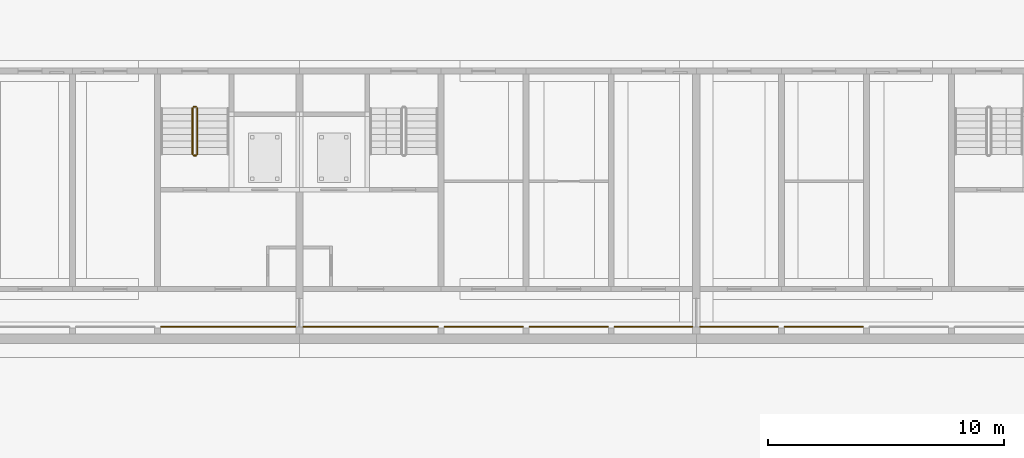
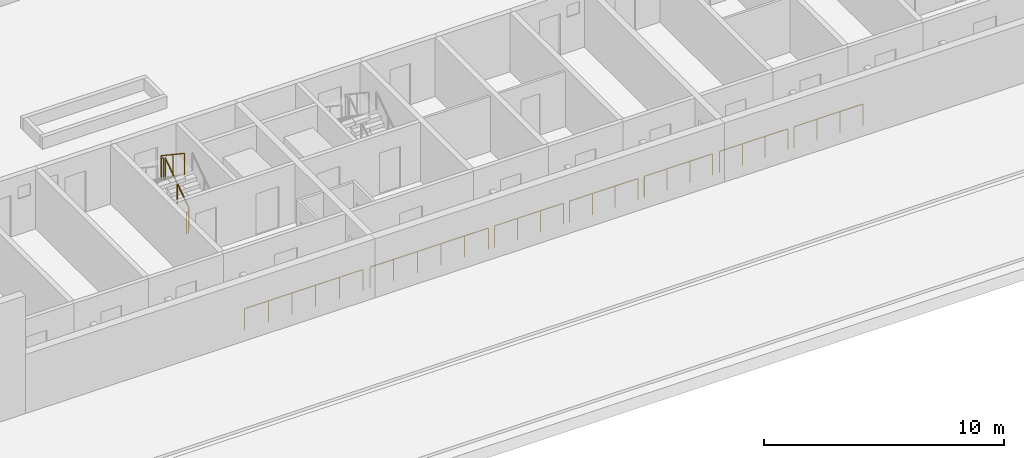
# One storey, part 97 of 112: 11 railings.
"""IFC4 building model written with IfcOpenShell, lengths in metres."""

from ifc_helpers import new_model, si_unit, direction, frame, origin, origin_2d, place, context, subcontext, project, spatial, circle, extrude, material, type_object, element, save


model = new_model("IFC4")

# Units and contexts
model_context = context("Model", 3, precision=1e-05, world=origin(), true_north=direction((0.0, 1.0)))
body_context = subcontext(model_context, "Body", "Model", "MODEL_VIEW")
ifc_project = project(units=[si_unit("LENGTHUNIT", "METRE"), si_unit("AREAUNIT", "SQUARE_METRE"), si_unit("VOLUMEUNIT", "CUBIC_METRE"), si_unit("PLANEANGLEUNIT", "RADIAN"), si_unit("MASSUNIT", "GRAM", prefix="KILO")], contexts=[model_context])

# Site, building, storey
site_placement = place(None, origin())
site = spatial("IfcSite", under=ifc_project, at=site_placement, CompositionType="ELEMENT")
building_placement = place(site_placement, origin())
building = spatial("IfcBuilding", under=site, at=building_placement, Name="Ridgestep Commons", CompositionType="ELEMENT")
storey_placement = place(building_placement, origin())
storey = spatial("IfcBuildingStorey", under=building, at=storey_placement, Name="L00", CompositionType="ELEMENT", Elevation=0.0)

# Railings
ifc_material_1 = material(Name="Structural steel S355JR galvanised", Category="steel")
railing_type_1 = type_object("IfcRailingType", Name="Passage guard 1100", PredefinedType="GUARDRAIL", material=ifc_material_1)
railing_1_placement = place(storey_placement, frame((157.74609375, 12.050048828125, 0.0)))
element("IfcRailing", 1, at=railing_1_placement, inside=storey, type_object=railing_type_1, Name="Passage guard D 00.4", PredefinedType="GUARDRAIL", context=body_context, shape_type="SweptSolid", body=[
    extrude(circle(Radius=0.02392578125, at=origin_2d()), frame((0.0, 0.0, 1.076171875), z_axis=(1.0, 0.0, 0.0), x_axis=(0.0, 1.0, 0.0)), (0.0, 0.0, 1.0), 5.682861328125),
    extrude(circle(Radius=0.02099609375, at=origin_2d()), origin(), (0.0, 0.0, 1.0), 1.052001953125),
    extrude(circle(Radius=0.02099609375, at=origin_2d()), frame((1.136474609375, 0.0, 0.0)), (0.0, 0.0, 1.0), 1.052001953125),
    extrude(circle(Radius=0.02099609375, at=origin_2d()), frame((2.273193359375, 0.0, 0.0)), (0.0, 0.0, 1.0), 1.052001953125),
    extrude(circle(Radius=0.02099609375, at=origin_2d()), frame((3.40966796875, 0.0, 0.0)), (0.0, 0.0, 1.0), 1.052001953125),
    extrude(circle(Radius=0.02099609375, at=origin_2d()), frame((4.54638671875, 0.0, 0.0)), (0.0, 0.0, 1.0), 1.052001953125),
    extrude(circle(Radius=0.02099609375, at=origin_2d()), frame((5.682861328125, 0.0, 0.0)), (0.0, 0.0, 1.0), 1.052001953125),
])
railing_2_placement = place(storey_placement, frame((163.77099609375, 12.050048828125, 0.0)))
element("IfcRailing", 2, at=railing_2_placement, inside=storey, type_object=railing_type_1, Name="Passage guard D 00.5", PredefinedType="GUARDRAIL", context=body_context, shape_type="SweptSolid", body=[
    extrude(circle(Radius=0.02392578125, at=origin_2d()), frame((0.0, 0.0, 1.076171875), z_axis=(1.0, 0.0, 0.0), x_axis=(0.0, 1.0, 0.0)), (0.0, 0.0, 1.0), 5.68310546875),
    extrude(circle(Radius=0.02099609375, at=origin_2d()), origin(), (0.0, 0.0, 1.0), 1.052001953125),
    extrude(circle(Radius=0.02099609375, at=origin_2d()), frame((1.13671875, 0.0, 0.0)), (0.0, 0.0, 1.0), 1.052001953125),
    extrude(circle(Radius=0.02099609375, at=origin_2d()), frame((2.273193359375, 0.0, 0.0)), (0.0, 0.0, 1.0), 1.052001953125),
    extrude(circle(Radius=0.02099609375, at=origin_2d()), frame((3.409912109375, 0.0, 0.0)), (0.0, 0.0, 1.0), 1.052001953125),
    extrude(circle(Radius=0.02099609375, at=origin_2d()), frame((4.54638671875, 0.0, 0.0)), (0.0, 0.0, 1.0), 1.052001953125),
    extrude(circle(Radius=0.02099609375, at=origin_2d()), frame((5.68310546875, 0.0, 0.0)), (0.0, 0.0, 1.0), 1.052001953125),
])
railing_3_placement = place(storey_placement, frame((169.74609375, 12.050048828125, 0.0)))
element("IfcRailing", 3, at=railing_3_placement, inside=storey, type_object=railing_type_1, Name="Passage guard D 00.6", PredefinedType="GUARDRAIL", context=body_context, shape_type="SweptSolid", body=[
    extrude(circle(Radius=0.02392578125, at=origin_2d()), frame((0.0, 0.0, 1.076171875), z_axis=(1.0, 0.0, 0.0), x_axis=(0.0, 1.0, 0.0)), (0.0, 0.0, 1.0), 3.307861328125),
    extrude(circle(Radius=0.02099609375, at=origin_2d()), origin(), (0.0, 0.0, 1.0), 1.052001953125),
    extrude(circle(Radius=0.02099609375, at=origin_2d()), frame((1.1025390625, 0.0, 0.0)), (0.0, 0.0, 1.0), 1.052001953125),
    extrude(circle(Radius=0.02099609375, at=origin_2d()), frame((2.205322265625, 0.0, 0.0)), (0.0, 0.0, 1.0), 1.052001953125),
    extrude(circle(Radius=0.02099609375, at=origin_2d()), frame((3.307861328125, 0.0, 0.0)), (0.0, 0.0, 1.0), 1.052001953125),
])
railing_4_placement = place(storey_placement, frame((173.345947265625, 12.050048828125, 0.0)))
element("IfcRailing", 4, at=railing_4_placement, inside=storey, type_object=railing_type_1, Name="Passage guard D 00.7", PredefinedType="GUARDRAIL", context=body_context, shape_type="SweptSolid", body=[
    extrude(circle(Radius=0.02392578125, at=origin_2d()), frame((0.0, 0.0, 1.076171875), z_axis=(1.0, 0.0, 0.0), x_axis=(0.0, 1.0, 0.0)), (0.0, 0.0, 1.0), 3.30810546875),
    extrude(circle(Radius=0.02099609375, at=origin_2d()), origin(), (0.0, 0.0, 1.0), 1.052001953125),
    extrude(circle(Radius=0.02099609375, at=origin_2d()), frame((1.102783203125, 0.0, 0.0)), (0.0, 0.0, 1.0), 1.052001953125),
    extrude(circle(Radius=0.02099609375, at=origin_2d()), frame((2.205322265625, 0.0, 0.0)), (0.0, 0.0, 1.0), 1.052001953125),
    extrude(circle(Radius=0.02099609375, at=origin_2d()), frame((3.30810546875, 0.0, 0.0)), (0.0, 0.0, 1.0), 1.052001953125),
])
for number, where, name in (
    (5, (176.946044921875, 12.050048828125, 0.0), "Passage guard D 00.8"),
    (6, (180.571044921875, 12.050048828125, 0.0), "Passage guard D 00.9"),
):
    element("IfcRailing", number, at=place(storey_placement, frame(where)), inside=storey, type_object=railing_type_1, Name=name, PredefinedType="GUARDRAIL", context=body_context, shape_type="SweptSolid", body=[
        extrude(circle(Radius=0.02392578125, at=origin_2d()), frame((0.0, 0.0, 1.076171875), z_axis=(1.0, 0.0, 0.0), x_axis=(0.0, 1.0, 0.0)), (0.0, 0.0, 1.0), 3.282958984375),
        extrude(circle(Radius=0.02099609375, at=origin_2d()), origin(), (0.0, 0.0, 1.0), 1.052001953125),
        extrude(circle(Radius=0.02099609375, at=origin_2d()), frame((1.09423828125, 0.0, 0.0)), (0.0, 0.0, 1.0), 1.052001953125),
        extrude(circle(Radius=0.02099609375, at=origin_2d()), frame((2.188720703125, 0.0, 0.0)), (0.0, 0.0, 1.0), 1.052001953125),
        extrude(circle(Radius=0.02099609375, at=origin_2d()), frame((3.282958984375, 0.0, 0.0)), (0.0, 0.0, 1.0), 1.052001953125),
    ])
railing_5_placement = place(storey_placement, frame((184.14599609375, 12.050048828125, 0.0)))
element("IfcRailing", 7, at=railing_5_placement, inside=storey, type_object=railing_type_1, Name="Passage guard D 00.10", PredefinedType="GUARDRAIL", context=body_context, shape_type="SweptSolid", body=[
    extrude(circle(Radius=0.02392578125, at=origin_2d()), frame((0.0, 0.0, 1.076171875), z_axis=(1.0, 0.0, 0.0), x_axis=(0.0, 1.0, 0.0)), (0.0, 0.0, 1.0), 3.30810546875),
    extrude(circle(Radius=0.02099609375, at=origin_2d()), origin(), (0.0, 0.0, 1.0), 1.052001953125),
    extrude(circle(Radius=0.02099609375, at=origin_2d()), frame((1.102783203125, 0.0, 0.0)), (0.0, 0.0, 1.0), 1.052001953125),
    extrude(circle(Radius=0.02099609375, at=origin_2d()), frame((2.205322265625, 0.0, 0.0)), (0.0, 0.0, 1.0), 1.052001953125),
    extrude(circle(Radius=0.02099609375, at=origin_2d()), frame((3.30810546875, 0.0, 0.0)), (0.0, 0.0, 1.0), 1.052001953125),
])
ifc_material_2 = material(Name="Structural steel S355JR", Category="steel")
railing_type_2 = type_object("IfcRailingType", Name="Stair guard 1100", PredefinedType="GUARDRAIL", material=ifc_material_2)
railing_6_placement = place(storey_placement, frame((159.27490234375, 19.35009765625, 0.1875)))
element("IfcRailing", 8, at=railing_6_placement, inside=storey, type_object=railing_type_2, Name="L00 D1C stair guard 1", PredefinedType="GUARDRAIL", context=body_context, shape_type="SweptSolid", body=[
    extrude(circle(Radius=0.02392578125, at=origin_2d()), frame((0.0, 0.0, 1.076171875), z_axis=(0.0, 0.830902050051, 0.556418712142), x_axis=(-1.0, 0.0, 0.0)), (0.0, 0.0, 1.0), 2.35888671875),
    extrude(circle(Radius=0.02099609375, at=origin_2d()), origin(), (0.0, 0.0, 1.0), 1.052001953125),
    extrude(circle(Radius=0.02099609375, at=origin_2d()), frame((0.0, 0.97998046875, 0.65625)), (0.0, 0.0, 1.0), 1.052001953125),
    extrude(circle(Radius=0.02099609375, at=origin_2d()), frame((0.0, 1.9599609375, 1.3125)), (0.0, 0.0, 1.0), 1.052001953125),
])
railing_7_placement = place(storey_placement, frame((159.22509765625, 21.360107421875, 1.5)))
element("IfcRailing", 9, at=railing_7_placement, inside=storey, type_object=railing_type_2, Name="L00 D1C stair guard 2", PredefinedType="GUARDRAIL", context=body_context, shape_type="SweptSolid", body=[
    extrude(circle(Radius=0.02392578125, at=origin_2d()), frame((0.0, 0.0, 1.076171875), z_axis=(-1.0, 0.0, 0.0), x_axis=(0.0, -1.0, 0.0)), (0.0, 0.0, 1.0), 0.10009765625),
    extrude(circle(Radius=0.02099609375, at=origin_2d()), origin(), (0.0, 0.0, 1.0), 1.052001953125),
    extrude(circle(Radius=0.02099609375, at=origin_2d()), frame((-0.10009765625, 0.0, 0.0)), (0.0, 0.0, 1.0), 1.052001953125),
])
railing_8_placement = place(storey_placement, frame((159.074951171875, 21.31005859375, 1.6875)))
element("IfcRailing", 10, at=railing_8_placement, inside=storey, type_object=railing_type_2, Name="L00 D1C stair guard 3", PredefinedType="GUARDRAIL", context=body_context, shape_type="SweptSolid", body=[
    extrude(circle(Radius=0.02392578125, at=origin_2d()), frame((0.0, 0.0, 1.076171875), z_axis=(0.0, -0.830902050051, 0.556418712142), x_axis=(1.0, 0.0, 0.0)), (0.0, 0.0, 1.0), 2.35888671875),
    extrude(circle(Radius=0.02099609375, at=origin_2d()), origin(), (0.0, 0.0, 1.0), 1.052001953125),
    extrude(circle(Radius=0.02099609375, at=origin_2d()), frame((0.0, -0.97998046875, 0.65625)), (0.0, 0.0, 1.0), 1.052001953125),
    extrude(circle(Radius=0.02099609375, at=origin_2d()), frame((0.0, -1.9599609375, 1.3125)), (0.0, 0.0, 1.0), 1.052001953125),
])
railing_9_placement = place(storey_placement, frame((159.22509765625, 19.300048828125, 0.0)))
element("IfcRailing", 11, at=railing_9_placement, inside=storey, type_object=railing_type_2, Name="L00 D1C stair guard 4", PredefinedType="GUARDRAIL", context=body_context, shape_type="SweptSolid", body=[
    extrude(circle(Radius=0.02392578125, at=origin_2d()), frame((0.0, 0.0, 1.076171875), z_axis=(-1.0, 0.0, 0.0), x_axis=(0.0, -1.0, 0.0)), (0.0, 0.0, 1.0), 0.10009765625),
    extrude(circle(Radius=0.02099609375, at=origin_2d()), origin(), (0.0, 0.0, 1.0), 1.052001953125),
    extrude(circle(Radius=0.02099609375, at=origin_2d()), frame((-0.10009765625, 0.0, 0.0)), (0.0, 0.0, 1.0), 1.052001953125),
])

save(model, "model.ifc")
